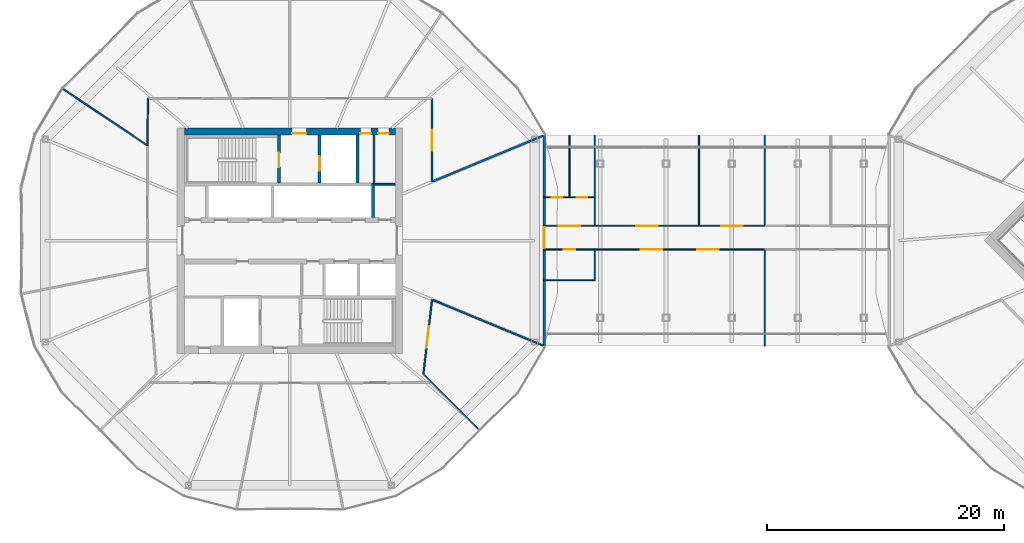
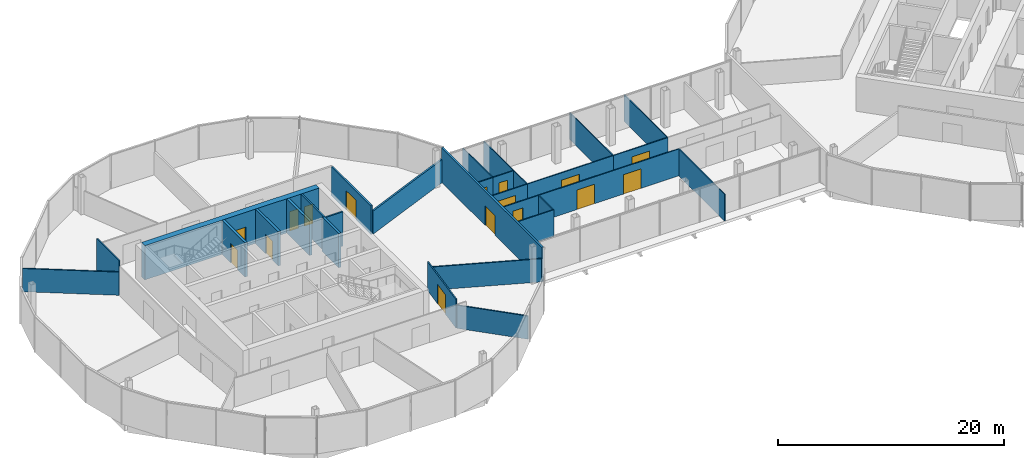
# One storey, part 21 of 26: 30 walls, 16 doors, 16 openings.
"""IFC4 building model written with IfcOpenShell, lengths in metres."""

import ifcopenshell
import ifcopenshell.guid

model = None  # the IFC model being written
_history = None  # IfcOwnerHistory: only IFC2X3 demands one
_inside = {}  # id of a spatial element -> (the spatial element, [elements in it])
_under = {}  # id of a project, library or spatial element -> (it, [spatial elements below it])
_declared = {}  # id of a project -> (the project, [libraries it declares])
_typed = {}  # id of a type object -> (the type object, [elements of that type])
_made_of = {}  # id of a material, layer set ... -> (it, [elements and type objects made of it])


def new_model(schema):
    """Start an empty IFC model of exactly this schema.

    Asked for "IFC4X3", IfcOpenShell would pick the latest addendum, in which some entities
    have other attributes; the version numbers below select the first issue.
    IFC2X3 requires an IfcOwnerHistory on every rooted entity: one is made here for all.
    """
    global model, _history
    if schema == "IFC4X3":
        model = ifcopenshell.file(schema_version=(4, 3, 0, 0))
    else:
        model = ifcopenshell.file(schema=schema)
    _inside.clear()
    _under.clear()
    _declared.clear()
    _typed.clear()
    _made_of.clear()
    _history = None
    if model.schema == "IFC2X3":
        org = make("IfcOrganization", Name="unknown")
        user = make(
            "IfcPersonAndOrganization",
            ThePerson=make("IfcPerson", FamilyName="unknown"),
            TheOrganization=org,
        )
        app = make(
            "IfcApplication",
            ApplicationDeveloper=org,
            Version="unknown",
            ApplicationFullName="unknown",
            ApplicationIdentifier="unknown",
        )
        _history = make(
            "IfcOwnerHistory",
            OwningUser=user,
            OwningApplication=app,
            ChangeAction="ADDED",
            CreationDate=0,
        )
    return model


def make(cls, **values):
    """One entity of the class cls with the attributes given. An attribute that is None is left unset."""
    return model.create_entity(
        cls, **{name: value for name, value in values.items() if value is not None}
    )


def rooted(cls, **values):
    """An entity with a GlobalId (a new one), such as an element, a storey or a relation."""
    return make(cls, GlobalId=ifcopenshell.guid.new(), OwnerHistory=_history, **values)


def si_unit(unit_type, name, prefix=None):
    """IfcSIUnit, for example si_unit("LENGTHUNIT", "METRE", prefix="MILLI")."""
    return make("IfcSIUnit", UnitType=unit_type, Prefix=prefix, Name=name)


def assignment(units):
    """IfcUnitAssignment: the units of a project."""
    return None if units is None else make("IfcUnitAssignment", Units=units)


def point(xyz):
    """IfcCartesianPoint."""
    return None if xyz is None else make("IfcCartesianPoint", Coordinates=xyz)


def direction(xyz):
    """IfcDirection."""
    return None if xyz is None else make("IfcDirection", DirectionRatios=xyz)


def frame(location, z_axis=None, x_axis=None):
    """IfcAxis2Placement3D, a coordinate frame: its origin and axes. An axis left out is left unset."""
    return make(
        "IfcAxis2Placement3D",
        Location=point(location),
        Axis=direction(z_axis),
        RefDirection=direction(x_axis),
    )


def frame_2d(location, x_axis=None):
    """IfcAxis2Placement2D, a coordinate frame in the plane: its origin and x axis."""
    return make(
        "IfcAxis2Placement2D", Location=point(location), RefDirection=direction(x_axis)
    )


def origin():
    """The frame at (0, 0, 0) with its axes left unset."""
    return frame((0.0, 0.0, 0.0))


def place(relative_to, where):
    """IfcLocalPlacement: puts the frame where relative to a parent placement (None: the world)."""
    return make(
        "IfcLocalPlacement", PlacementRelTo=relative_to, RelativePlacement=where
    )


def context(
    kind, dimensions, precision=None, world=None, true_north=None, identifier=None
):
    """IfcGeometricRepresentationContext, for example the 3D "Model" context."""
    return make(
        "IfcGeometricRepresentationContext",
        ContextIdentifier=identifier,
        ContextType=kind,
        CoordinateSpaceDimension=dimensions,
        Precision=precision,
        WorldCoordinateSystem=world,
        TrueNorth=true_north,
    )


def subcontext(parent, identifier, kind, view, scale=None):
    """IfcGeometricRepresentationSubContext, for example "Body" below "Model"."""
    return make(
        "IfcGeometricRepresentationSubContext",
        ContextIdentifier=identifier,
        ContextType=kind,
        ParentContext=parent,
        TargetScale=scale,
        TargetView=view,
    )


def project(units=None, contexts=None):
    """IfcProject with its units and contexts."""
    return rooted(
        "IfcProject",
        Name="project",
        RepresentationContexts=contexts,
        UnitsInContext=assignment(units),
    )


def spatial(cls, under=None, at=None, **own):
    """A site, building, storey or space (cls), placed at a placement, below another one or the project."""
    s = rooted(cls, ObjectPlacement=at, **own)
    if under is not None:
        _under.setdefault(under.id(), (under, []))[1].append(s)
    return s


def profile(cls, at=None, kind="AREA", **sizes):
    """A parametric profile (cls). Its sizes go by their IFC names, for example OverallWidth=200.0."""
    return make(cls, ProfileType=kind, Position=at, **sizes)


def rectangle(**sizes):
    """IfcRectangleProfileDef."""
    return profile("IfcRectangleProfileDef", **sizes)


def extrude(swept, where, along, depth):
    """IfcExtrudedAreaSolid: the profile swept, set in the frame where, extruded along a direction by depth."""
    return make(
        "IfcExtrudedAreaSolid",
        SweptArea=swept,
        Position=where,
        ExtrudedDirection=direction(along),
        Depth=depth,
    )


def shape(context_of_items, identifier, shape_type, items):
    """IfcShapeRepresentation: the items that make up one representation, for example the "Body"."""
    return make(
        "IfcShapeRepresentation",
        ContextOfItems=context_of_items,
        RepresentationIdentifier=identifier,
        RepresentationType=shape_type,
        Items=items,
    )


def material(Name=None, Category=None):
    """IfcMaterial."""
    return make("IfcMaterial", Name=Name, Category=Category)


def layer(
    of_material, thickness, ventilated=None, Name=None, Category=None, Priority=None
):
    """IfcMaterialLayer: one layer of a wall or slab, of a material (None: an air gap)."""
    return make(
        "IfcMaterialLayer",
        Material=of_material,
        LayerThickness=thickness,
        IsVentilated=ventilated,
        Name=Name,
        Category=Category,
        Priority=Priority,
    )


def layer_set(layers, Name=None):
    """IfcMaterialLayerSet."""
    return make("IfcMaterialLayerSet", MaterialLayers=layers, LayerSetName=Name)


def made_of(thing, what):
    """Note that an element or type object is made of a material, layer set ...; save() writes the relation."""
    if what is not None:
        _made_of.setdefault(what.id(), (what, []))[1].append(thing)
    return thing


def type_object(cls, material=None, **own):
    """A type object (cls), such as IfcWallType, which elements share."""
    return made_of(rooted(cls, **own), material)


def element(
    cls,
    number,
    at=None,
    inside=None,
    cuts=None,
    type_object=None,
    material=None,
    context=None,
    identifier="Body",
    shape_type=None,
    held_by="IfcProductDefinitionShape",
    body=None,
    shapes=None,
    **own,
):
    """One element of the class cls, such as IfcWall. Its Tag is "e" and its number.

    at: its placement. inside: the storey or other place that contains it. cuts: it is an
    opening in that element (IfcRelVoidsElement). A single representation is given by context,
    identifier, shape_type and body (its items); several are given by shapes. held_by: the class
    of the entity that holds the representations. save() writes the other relations.
    """
    e = rooted(cls, Tag="e%d" % number, ObjectPlacement=at, **own)
    if body is not None:
        shapes = [shape(context, identifier, shape_type, body)]
    if shapes is not None:
        e.Representation = make(held_by, Representations=shapes)
    if inside is not None:
        _inside.setdefault(inside.id(), (inside, []))[1].append(e)
    if cuts is not None:
        rooted(
            "IfcRelVoidsElement", RelatingBuildingElement=cuts, RelatedOpeningElement=e
        )
    if type_object is not None:
        _typed.setdefault(type_object.id(), (type_object, []))[1].append(e)
    return made_of(e, material)


def fill(opening, filler):
    """IfcRelFillsElement: the door or window that sits in an opening."""
    return rooted(
        "IfcRelFillsElement",
        RelatingOpeningElement=opening,
        RelatedBuildingElement=filler,
    )


def aggregate(whole, parts):
    """IfcRelAggregates: a whole, such as a stair, and the parts it consists of."""
    return rooted("IfcRelAggregates", RelatingObject=whole, RelatedObjects=parts)


def save(model, path):
    """Write the relations noted so far, then the file.

    IfcRelAggregates (storeys below a building ...), IfcRelContainedInSpatialStructure (elements
    in a storey), IfcRelDefinesByType, IfcRelAssociatesMaterial and IfcRelDeclares: one each for
    every whole, place, type object, material and project.
    """
    for whole, parts in _under.values():
        aggregate(whole, parts)
    for where, things in _inside.values():
        rooted(
            "IfcRelContainedInSpatialStructure",
            RelatedElements=things,
            RelatingStructure=where,
        )
    for kind, things in _typed.values():
        rooted("IfcRelDefinesByType", RelatedObjects=things, RelatingType=kind)
    for what, things in _made_of.values():
        rooted("IfcRelAssociatesMaterial", RelatedObjects=things, RelatingMaterial=what)
    for by, libraries in _declared.values():
        rooted("IfcRelDeclares", RelatingContext=by, RelatedDefinitions=libraries)
    model.write(path)


model = new_model("IFC4")

# Units and contexts
model_context = context("Model", 3, precision=1e-05, world=origin(), true_north=direction((0.0, 1.0)))
body_context = subcontext(model_context, "Body", "Model", "MODEL_VIEW")
ifc_project = project(units=[si_unit("LENGTHUNIT", "METRE"), si_unit("AREAUNIT", "SQUARE_METRE"), si_unit("VOLUMEUNIT", "CUBIC_METRE"), si_unit("PLANEANGLEUNIT", "RADIAN"), si_unit("MASSUNIT", "GRAM", prefix="KILO")], contexts=[model_context])

# Site, building, storey
site_placement = place(None, origin())
site = spatial("IfcSite", under=ifc_project, at=site_placement, CompositionType="ELEMENT")
building_placement = place(site_placement, origin())
building = spatial("IfcBuilding", under=site, at=building_placement, Name="Ogive Gate Towers", CompositionType="ELEMENT")
storey_placement = place(building_placement, frame((0.0, 0.0, 148.800048828125)))
storey = spatial("IfcBuildingStorey", under=building, at=storey_placement, Name="L35", CompositionType="ELEMENT", Elevation=148.800048828125)

# Wall
ifc_material_1 = material(Name="Gypsum board acoustic partition")
ifc_layer_1 = layer(ifc_material_1, 0.175048828125)
ifc_layer_set_1 = layer_set([ifc_layer_1], Name="Acoustic partition 175")
wall_type_1 = type_object("IfcWallType", Name="Acoustic partition 175", PredefinedType="PARTITIONING", material=ifc_layer_set_1)
wall_1_placement = place(storey_placement, frame((-14.6474609375, 8.844482421875, 0.0), z_axis=(0.0, 0.0, 1.0), x_axis=(-0.923884694727, -0.382670969436, 0.0)))
element("IfcWall", 1, at=wall_1_placement, inside=storey, type_object=wall_type_1, Name="Partition T1-L35-001", PredefinedType="PARTITIONING", context=body_context, shape_type="SweptSolid", body=[
    extrude(rectangle(XDim=10.043212890625, YDim=0.175048828125, at=frame_2d((5.021484375, 0.0))), origin(), (0.0, 0.0, 1.0), 2.5),
])

# Wall, opening, door
wall_2_placement = place(storey_placement, frame((-24.007080078125, 4.967529296875, 0.0), z_axis=(0.0, 0.0, 1.0), x_axis=(-0.001845208014, 0.999998297602, 0.0)))
wall_2 = element("IfcWall", 2, at=wall_2_placement, inside=storey, type_object=wall_type_1, Name="Partition T1-L35-012", PredefinedType="PARTITIONING", context=body_context, shape_type="SweptSolid", body=[
    extrude(rectangle(XDim=7.012451171875, YDim=0.175048828125, at=frame_2d((3.50634765625, 0.0))), origin(), (0.0, 0.0, 1.0), 3.099853515625),
])
opening_1_placement = place(wall_2_placement, frame((2.60595703125, 0.0, 0.0)))
opening_1 = element("IfcOpeningElement", 3, at=opening_1_placement, cuts=wall_2, Name="Opening T1-L35-D01", PredefinedType="OPENING", context=body_context, shape_type="SweptSolid", body=[
    extrude(rectangle(XDim=1.800048828125, YDim=2.10009765625, at=frame_2d((0.89990234375, 1.050048828125))), frame((0.0, 0.09765625, 0.0), z_axis=(0.0, -1.0, 0.0), x_axis=(1.0, 0.0, 0.0)), (0.0, 0.0, 1.0), 0.195068359375),
])
ifc_material_2 = material(Name="Timber door", Category="wood")
door_type_1 = type_object("IfcDoorType", Name="Door pair 1800", OperationType="NOTDEFINED", PredefinedType="DOOR", material=ifc_material_2)
door_1_placement = place(opening_1_placement, origin())
door_1 = element("IfcDoor", 4, at=door_1_placement, inside=storey, type_object=door_type_1, Name="Door T1-L35-D01", OperationType="DOUBLE_DOOR_DOUBLE_SWING", OverallHeight=2.10009765625, OverallWidth=1.800048828125, PredefinedType="DOOR", context=body_context, shape_type="SweptSolid", body=[
    extrude(rectangle(XDim=1.800048828125, YDim=2.10009765625, at=frame_2d((0.89990234375, 1.050048828125))), frame((0.0, 0.02490234375, 0.0), z_axis=(0.0, -1.0, 0.0), x_axis=(1.0, 0.0, 0.0)), (0.0, 0.0, 1.0), 0.050048828125),
])
fill(opening_1, door_1)

# Wall, openings, doors
ifc_material_3 = material(Name="Concrete C60/75", Category="concrete")
ifc_layer_2 = layer(ifc_material_3, 0.60009765625)
ifc_layer_set_2 = layer_set([ifc_layer_2], Name="Core wall 600 mm")
wall_type_2 = type_object("IfcWallType", Name="Core wall 600 mm", PredefinedType="SHEAR", material=ifc_layer_set_2)
wall_3_placement = place(storey_placement, frame((-44.89990234375, 9.199951171875, 0.0), z_axis=(0.0, 0.0, 1.0), x_axis=(1.0, 0.0, 0.0)))
wall_3 = element("IfcWall", 5, at=wall_3_placement, inside=storey, type_object=wall_type_2, Name="T1 L35 Core wall 600 mm", PredefinedType="SHEAR", context=body_context, shape_type="SweptSolid", body=[
    extrude(rectangle(XDim=17.7998046875, YDim=0.60009765625, at=frame_2d((8.89990234375, 0.0))), origin(), (0.0, 0.0, 1.0), 3.699951171875),
])
opening_2_placement = place(wall_3_placement, frame((9.10009765625, 0.0, 0.0)))
opening_2 = element("IfcOpeningElement", 6, at=opening_2_placement, cuts=wall_3, Name="Opening KD-T1-L35-18", PredefinedType="OPENING", context=body_context, shape_type="SweptSolid", body=[
    extrude(rectangle(XDim=1.199951171875, YDim=2.10009765625, at=frame_2d((0.60009765625, 1.050048828125))), frame((0.0, 0.31005859375, 0.0), z_axis=(0.0, -1.0, 0.0), x_axis=(1.0, 0.0, 0.0)), (0.0, 0.0, 1.0), 0.6201171875),
])
opening_3_placement = place(wall_3_placement, frame((14.85009765625, 0.0, 0.0)))
opening_3 = element("IfcOpeningElement", 7, at=opening_3_placement, cuts=wall_3, Name="Opening KD-T1-L35-20", PredefinedType="OPENING", context=body_context, shape_type="SweptSolid", body=[
    extrude(rectangle(XDim=0.89990234375, YDim=2.10009765625, at=frame_2d((0.449951171875, 1.050048828125))), frame((0.0, 0.31005859375, 0.0), z_axis=(0.0, -1.0, 0.0), x_axis=(1.0, 0.0, 0.0)), (0.0, 0.0, 1.0), 0.6201171875),
])
opening_4_placement = place(wall_3_placement, frame((16.35009765625, 0.0, 0.0)))
opening_4 = element("IfcOpeningElement", 8, at=opening_4_placement, cuts=wall_3, Name="Opening KD-T1-L35-21", PredefinedType="OPENING", context=body_context, shape_type="SweptSolid", body=[
    extrude(rectangle(XDim=0.89990234375, YDim=2.10009765625, at=frame_2d((0.449951171875, 1.050048828125))), frame((0.0, 0.31005859375, 0.0), z_axis=(0.0, -1.0, 0.0), x_axis=(1.0, 0.0, 0.0)), (0.0, 0.0, 1.0), 0.6201171875),
])
door_type_2 = type_object("IfcDoorType", Name="Core WC door 900 x 2100", OperationType="NOTDEFINED", PredefinedType="DOOR", material=ifc_material_2)
door_2_placement = place(opening_3_placement, origin())
door_2 = element("IfcDoor", 9, at=door_2_placement, inside=storey, type_object=door_type_2, Name="T1 L35 Core door", OperationType="SINGLE_SWING_LEFT", OverallHeight=2.10009765625, OverallWidth=0.89990234375, PredefinedType="DOOR", context=body_context, shape_type="SweptSolid", body=[
    extrude(rectangle(XDim=0.89990234375, YDim=2.10009765625, at=frame_2d((0.449951171875, 1.050048828125))), frame((0.0, -0.125, 0.0), z_axis=(0.0, -1.0, 0.0), x_axis=(1.0, 0.0, 0.0)), (0.0, 0.0, 1.0), 0.050048828125),
])
fill(opening_3, door_2)
door_3_placement = place(opening_4_placement, origin())
door_3 = element("IfcDoor", 10, at=door_3_placement, inside=storey, type_object=door_type_2, Name="T1 L35 Core door", OperationType="SINGLE_SWING_RIGHT", OverallHeight=2.10009765625, OverallWidth=0.89990234375, PredefinedType="DOOR", context=body_context, shape_type="SweptSolid", body=[
    extrude(rectangle(XDim=0.89990234375, YDim=2.10009765625, at=frame_2d((0.449951171875, 1.050048828125))), frame((0.0, -0.125, 0.0), z_axis=(0.0, -1.0, 0.0), x_axis=(1.0, 0.0, 0.0)), (0.0, 0.0, 1.0), 0.050048828125),
])
fill(opening_4, door_3)
ifc_material_4 = material(Name="Steel fire door", Category="steel")
door_type_3 = type_object("IfcDoorType", Name="Core door FD60S 1200 x 2100", OperationType="NOTDEFINED", PredefinedType="DOOR", material=ifc_material_4)
door_4_placement = place(opening_2_placement, origin())
door_4 = element("IfcDoor", 11, at=door_4_placement, inside=storey, type_object=door_type_3, Name="T1 L35 Fire-fighting lobby door", OperationType="SINGLE_SWING_LEFT", OverallHeight=2.10009765625, OverallWidth=1.199951171875, PredefinedType="DOOR", context=body_context, shape_type="SweptSolid", body=[
    extrude(rectangle(XDim=1.199951171875, YDim=2.10009765625, at=frame_2d((0.60009765625, 1.050048828125))), frame((0.0, -0.125, 0.0), z_axis=(0.0, -1.0, 0.0), x_axis=(1.0, 0.0, 0.0)), (0.0, 0.0, 1.0), 0.050048828125),
])
fill(opening_2, door_4)

# Walls
ifc_material_5 = material(Name="Gypsum board partition")
ifc_layer_3 = layer(ifc_material_5, 0.125)
ifc_layer_set_3 = layer_set([ifc_layer_3], Name="Partition 125")
wall_type_3 = type_object("IfcWallType", Name="Partition 125", PredefinedType="PARTITIONING", material=ifc_layer_set_3)
wall_4_placement = place(storey_placement, frame((-55.1357421875, 12.79541015625, 0.0), z_axis=(0.0, 0.0, 1.0), x_axis=(0.831278597412, -0.555856000674, 0.0)))
element("IfcWall", 12, at=wall_4_placement, inside=storey, type_object=wall_type_3, Name="Partition T1-L35-005", PredefinedType="PARTITIONING", context=body_context, shape_type="SweptSolid", body=[
    extrude(rectangle(XDim=8.526611328125, YDim=0.125, at=frame_2d((4.26318359375, 0.0))), origin(), (0.0, 0.0, 1.0), 2.5),
])
wall_5_placement = place(storey_placement, frame((-20.07666015625, -15.92333984375, 0.0), z_axis=(0.0, 0.0, 1.0), x_axis=(-0.707106781187, 0.707106781187, 0.0)))
element("IfcWall", 13, at=wall_5_placement, inside=storey, type_object=wall_type_3, Name="Partition T1-L35-010", PredefinedType="PARTITIONING", context=body_context, shape_type="SweptSolid", body=[
    extrude(rectangle(XDim=6.526611328125, YDim=0.125, at=frame_2d((3.26318359375, 0.0))), origin(), (0.0, 0.0, 1.0), 2.5),
])
wall_6_placement = place(storey_placement, frame((-14.6474609375, -8.844482421875, 0.0), z_axis=(0.0, 0.0, 1.0), x_axis=(-0.923887684804, 0.382663750397, 0.0)))
element("IfcWall", 14, at=wall_6_placement, inside=storey, type_object=wall_type_3, Name="Partition T1-L35-011", PredefinedType="PARTITIONING", context=body_context, shape_type="SweptSolid", body=[
    extrude(rectangle(XDim=10.068359375, YDim=0.125, at=frame_2d((5.0341796875, 0.0))), origin(), (0.0, 0.0, 1.0), 2.5),
])
wall_7_placement = place(storey_placement, frame((-47.97998046875, 11.97998046875, 0.0), z_axis=(0.0, 0.0, 1.0), x_axis=(-0.004008601774, -0.999991965524, 0.0)))
element("IfcWall", 15, at=wall_7_placement, inside=storey, type_object=wall_type_3, Name="Partition T1-L35-017", PredefinedType="PARTITIONING", context=body_context, shape_type="SweptSolid", body=[
    extrude(rectangle(XDim=3.958740234375, YDim=0.125, at=frame_2d((1.9794921875, 0.0))), origin(), (0.0, 0.0, 1.0), 3.699951171875),
])

# Wall, opening, door
wall_8_placement = place(storey_placement, frame((-24.735595703125, -11.264404296875, 0.0), z_axis=(0.0, 0.0, 1.0), x_axis=(0.11492817277, 0.993373804317, 0.0)))
wall_8 = element("IfcWall", 16, at=wall_8_placement, inside=storey, type_object=wall_type_3, Name="Partition T1-L35-023", PredefinedType="PARTITIONING", context=body_context, shape_type="SweptSolid", body=[
    extrude(rectangle(XDim=6.3388671875, YDim=0.125, at=frame_2d((3.16943359375, 0.0))), origin(), (0.0, 0.0, 1.0), 3.099853515625),
])
opening_5_placement = place(wall_8_placement, frame((2.26904296875, 0.0, 0.0)))
opening_5 = element("IfcOpeningElement", 17, at=opening_5_placement, cuts=wall_8, Name="Opening T1-L35-D10", PredefinedType="OPENING", context=body_context, shape_type="SweptSolid", body=[
    extrude(rectangle(XDim=1.800048828125, YDim=2.10009765625, at=frame_2d((0.89990234375, 1.050048828125))), frame((0.0, 0.072509765625, 0.0), z_axis=(0.0, -1.0, 0.0), x_axis=(1.0, 0.0, 0.0)), (0.0, 0.0, 1.0), 0.14501953125),
])
door_5_placement = place(opening_5_placement, origin())
door_5 = element("IfcDoor", 18, at=door_5_placement, inside=storey, type_object=door_type_1, Name="Door T1-L35-D10", OperationType="DOUBLE_DOOR_DOUBLE_SWING", OverallHeight=2.10009765625, OverallWidth=1.800048828125, PredefinedType="DOOR", context=body_context, shape_type="SweptSolid", body=[
    extrude(rectangle(XDim=1.800048828125, YDim=2.10009765625, at=frame_2d((0.89990234375, 1.050048828125))), frame((0.0, 0.02490234375, 0.0), z_axis=(0.0, -1.0, 0.0), x_axis=(1.0, 0.0, 0.0)), (0.0, 0.0, 1.0), 0.050048828125),
])
fill(opening_5, door_5)

ifc_layer_4 = layer(ifc_material_5, 0.10009765625)
ifc_layer_set_4 = layer_set([ifc_layer_4], Name="Partition wall 100")
wall_type_4 = type_object("IfcWallType", Name="Partition wall 100", PredefinedType="PARTITIONING", material=ifc_layer_set_4)
wall_9_placement = place(storey_placement, frame((-14.547607421875, 1.25, 0.0), z_axis=(0.0, 0.0, 1.0), x_axis=(1.0, 0.0, 0.0)))
wall_9 = element("IfcWall", 19, at=wall_9_placement, inside=storey, type_object=wall_type_4, Name="L35 partition 001", PredefinedType="PARTITIONING", context=body_context, shape_type="SweptSolid", body=[
    extrude(rectangle(XDim=4.26708984375, YDim=0.10009765625, at=frame_2d((2.133544921875, 0.0))), origin(), (0.0, 0.0, 1.0), 2.89990234375),
])
opening_6_placement = place(wall_9_placement, frame((1.2333984375, 0.0, 0.0)))
opening_6 = element("IfcOpeningElement", 20, at=opening_6_placement, cuts=wall_9, Name="Opening PO254", PredefinedType="OPENING", context=body_context, shape_type="SweptSolid", body=[
    extrude(rectangle(XDim=1.800048828125, YDim=2.10009765625, at=frame_2d((0.89990234375, 1.050048828125))), frame((0.0, 0.06005859375, 0.0), z_axis=(0.0, -1.0, 0.0), x_axis=(1.0, 0.0, 0.0)), (0.0, 0.0, 1.0), 0.1201171875),
])
door_type_4 = type_object("IfcDoorType", Name="Double door 1800 x 2100", OperationType="NOTDEFINED", PredefinedType="DOOR", material=ifc_material_2)
door_6_placement = place(opening_6_placement, origin())
door_6 = element("IfcDoor", 21, at=door_6_placement, inside=storey, type_object=door_type_4, Name="Door PO254", OperationType="DOUBLE_DOOR_DOUBLE_SWING", OverallHeight=2.10009765625, OverallWidth=1.800048828125, PredefinedType="DOOR", context=body_context, shape_type="SweptSolid", body=[
    extrude(rectangle(XDim=1.800048828125, YDim=2.10009765625, at=frame_2d((0.89990234375, 1.050048828125))), frame((0.0, 0.02490234375, 0.0), z_axis=(0.0, -1.0, 0.0), x_axis=(1.0, 0.0, 0.0)), (0.0, 0.0, 1.0), 0.050048828125),
])
fill(opening_6, door_6)

wall_10_placement = place(storey_placement, frame((-14.547607421875, -0.75, 0.0), z_axis=(0.0, 0.0, 1.0), x_axis=(1.0, 0.0, 0.0)))
wall_10 = element("IfcWall", 22, at=wall_10_placement, inside=storey, type_object=wall_type_4, Name="L35 partition 002", PredefinedType="PARTITIONING", context=body_context, shape_type="SweptSolid", body=[
    extrude(rectangle(XDim=4.26708984375, YDim=0.10009765625, at=frame_2d((2.133544921875, 0.0))), origin(), (0.0, 0.0, 1.0), 2.89990234375),
])
opening_7_placement = place(wall_10_placement, frame((1.633544921875, 0.0, 0.0)))
opening_7 = element("IfcOpeningElement", 23, at=opening_7_placement, cuts=wall_10, Name="Opening PO257", PredefinedType="OPENING", context=body_context, shape_type="SweptSolid", body=[
    extrude(rectangle(XDim=1.0, YDim=2.10009765625, at=frame_2d((0.5, 1.050048828125))), frame((0.0, 0.06005859375, 0.0), z_axis=(0.0, -1.0, 0.0), x_axis=(1.0, 0.0, 0.0)), (0.0, 0.0, 1.0), 0.1201171875),
])
door_type_5 = type_object("IfcDoorType", Name="Door 1000 x 2100", OperationType="NOTDEFINED", PredefinedType="DOOR", material=ifc_material_2)
door_7_placement = place(opening_7_placement, origin())
door_7 = element("IfcDoor", 24, at=door_7_placement, inside=storey, type_object=door_type_5, Name="Door PO257", OperationType="SINGLE_SWING_LEFT", OverallHeight=2.10009765625, OverallWidth=1.0, PredefinedType="DOOR", context=body_context, shape_type="SweptSolid", body=[
    extrude(rectangle(XDim=1.0, YDim=2.10009765625, at=frame_2d((0.5, 1.050048828125))), frame((0.0, 0.02490234375, 0.0), z_axis=(0.0, -1.0, 0.0), x_axis=(1.0, 0.0, 0.0)), (0.0, 0.0, 1.0), 0.050048828125),
])
fill(opening_7, door_7)

wall_11_placement = place(storey_placement, frame((-10.280517578125, 1.25, 0.0), z_axis=(0.0, 0.0, 1.0), x_axis=(1.0, 0.0, 0.0)))
wall_11 = element("IfcWall", 25, at=wall_11_placement, inside=storey, type_object=wall_type_4, Name="L35 partition 003", PredefinedType="PARTITIONING", context=body_context, shape_type="SweptSolid", body=[
    extrude(rectangle(XDim=8.78466796875, YDim=0.10009765625, at=frame_2d((4.392333984375, 0.0))), origin(), (0.0, 0.0, 1.0), 2.89990234375),
])
opening_8_placement = place(wall_11_placement, frame((3.492431640625, 0.0, 0.0)))
opening_8 = element("IfcOpeningElement", 26, at=opening_8_placement, cuts=wall_11, Name="Opening PO258", PredefinedType="OPENING", context=body_context, shape_type="SweptSolid", body=[
    extrude(rectangle(XDim=1.800048828125, YDim=2.10009765625, at=frame_2d((0.89990234375, 1.050048828125))), frame((0.0, 0.06005859375, 0.0), z_axis=(0.0, -1.0, 0.0), x_axis=(1.0, 0.0, 0.0)), (0.0, 0.0, 1.0), 0.1201171875),
])
door_8_placement = place(opening_8_placement, origin())
door_8 = element("IfcDoor", 27, at=door_8_placement, inside=storey, type_object=door_type_4, Name="Door PO258", OperationType="DOUBLE_DOOR_DOUBLE_SWING", OverallHeight=2.10009765625, OverallWidth=1.800048828125, PredefinedType="DOOR", context=body_context, shape_type="SweptSolid", body=[
    extrude(rectangle(XDim=1.800048828125, YDim=2.10009765625, at=frame_2d((0.89990234375, 1.050048828125))), frame((0.0, 0.02490234375, 0.0), z_axis=(0.0, -1.0, 0.0), x_axis=(1.0, 0.0, 0.0)), (0.0, 0.0, 1.0), 0.050048828125),
])
fill(opening_8, door_8)

wall_12_placement = place(storey_placement, frame((-1.495849609375, 1.25, 0.0), z_axis=(0.0, 0.0, 1.0), x_axis=(1.0, 0.0, 0.0)))
wall_12 = element("IfcWall", 28, at=wall_12_placement, inside=storey, type_object=wall_type_4, Name="L35 partition 004", PredefinedType="PARTITIONING", context=body_context, shape_type="SweptSolid", body=[
    extrude(rectangle(XDim=5.556640625, YDim=0.10009765625, at=frame_2d((2.7783203125, 0.0))), origin(), (0.0, 0.0, 1.0), 2.89990234375),
])
opening_9_placement = place(wall_12_placement, frame((1.878173828125, 0.0, 0.0)))
opening_9 = element("IfcOpeningElement", 29, at=opening_9_placement, cuts=wall_12, Name="Opening PO259", PredefinedType="OPENING", context=body_context, shape_type="SweptSolid", body=[
    extrude(rectangle(XDim=1.800048828125, YDim=2.10009765625, at=frame_2d((0.89990234375, 1.050048828125))), frame((0.0, 0.06005859375, 0.0), z_axis=(0.0, -1.0, 0.0), x_axis=(1.0, 0.0, 0.0)), (0.0, 0.0, 1.0), 0.1201171875),
])
door_9_placement = place(opening_9_placement, origin())
door_9 = element("IfcDoor", 30, at=door_9_placement, inside=storey, type_object=door_type_4, Name="Door PO259", OperationType="DOUBLE_DOOR_DOUBLE_SWING", OverallHeight=2.10009765625, OverallWidth=1.800048828125, PredefinedType="DOOR", context=body_context, shape_type="SweptSolid", body=[
    extrude(rectangle(XDim=1.800048828125, YDim=2.10009765625, at=frame_2d((0.89990234375, 1.050048828125))), frame((0.0, 0.02490234375, 0.0), z_axis=(0.0, -1.0, 0.0), x_axis=(1.0, 0.0, 0.0)), (0.0, 0.0, 1.0), 0.050048828125),
])
fill(opening_9, door_9)

# Wall, openings, doors
wall_13_placement = place(storey_placement, frame((-10.280517578125, -0.75, 0.0), z_axis=(0.0, 0.0, 1.0), x_axis=(1.0, 0.0, 0.0)))
wall_13 = element("IfcWall", 31, at=wall_13_placement, inside=storey, type_object=wall_type_4, Name="L35 partition 007", PredefinedType="PARTITIONING", context=body_context, shape_type="SweptSolid", body=[
    extrude(rectangle(XDim=14.34130859375, YDim=0.10009765625, at=frame_2d((7.170654296875, 0.0))), origin(), (0.0, 0.0, 1.0), 2.89990234375),
])
opening_10_placement = place(wall_13_placement, frame((3.88232421875, 0.0, 0.0)))
opening_10 = element("IfcOpeningElement", 32, at=opening_10_placement, cuts=wall_13, Name="Opening PO262", PredefinedType="OPENING", context=body_context, shape_type="SweptSolid", body=[
    extrude(rectangle(XDim=1.800048828125, YDim=2.10009765625, at=frame_2d((0.89990234375, 1.050048828125))), frame((0.0, 0.06005859375, 0.0), z_axis=(0.0, -1.0, 0.0), x_axis=(1.0, 0.0, 0.0)), (0.0, 0.0, 1.0), 0.1201171875),
])
opening_11_placement = place(wall_13_placement, frame((8.65869140625, 0.0, 0.0)))
opening_11 = element("IfcOpeningElement", 33, at=opening_11_placement, cuts=wall_13, Name="Opening PO263", PredefinedType="OPENING", context=body_context, shape_type="SweptSolid", body=[
    extrude(rectangle(XDim=1.800048828125, YDim=2.10009765625, at=frame_2d((0.89990234375, 1.050048828125))), frame((0.0, 0.06005859375, 0.0), z_axis=(0.0, -1.0, 0.0), x_axis=(1.0, 0.0, 0.0)), (0.0, 0.0, 1.0), 0.1201171875),
])
door_10_placement = place(opening_10_placement, origin())
door_10 = element("IfcDoor", 34, at=door_10_placement, inside=storey, type_object=door_type_4, Name="Door PO262", OperationType="DOUBLE_DOOR_DOUBLE_SWING", OverallHeight=2.10009765625, OverallWidth=1.800048828125, PredefinedType="DOOR", context=body_context, shape_type="SweptSolid", body=[
    extrude(rectangle(XDim=1.800048828125, YDim=2.10009765625, at=frame_2d((0.89990234375, 1.050048828125))), frame((0.0, 0.02490234375, 0.0), z_axis=(0.0, -1.0, 0.0), x_axis=(1.0, 0.0, 0.0)), (0.0, 0.0, 1.0), 0.050048828125),
])
fill(opening_10, door_10)
door_11_placement = place(opening_11_placement, origin())
door_11 = element("IfcDoor", 35, at=door_11_placement, inside=storey, type_object=door_type_4, Name="Door PO263", OperationType="DOUBLE_DOOR_DOUBLE_SWING", OverallHeight=2.10009765625, OverallWidth=1.800048828125, PredefinedType="DOOR", context=body_context, shape_type="SweptSolid", body=[
    extrude(rectangle(XDim=1.800048828125, YDim=2.10009765625, at=frame_2d((0.89990234375, 1.050048828125))), frame((0.0, 0.02490234375, 0.0), z_axis=(0.0, -1.0, 0.0), x_axis=(1.0, 0.0, 0.0)), (0.0, 0.0, 1.0), 0.050048828125),
])
fill(opening_11, door_11)

# Wall, opening, door
wall_14_placement = place(storey_placement, frame((-14.547607421875, 3.64990234375, 0.0), z_axis=(0.0, 0.0, 1.0), x_axis=(1.0, 0.0, 0.0)))
wall_14 = element("IfcWall", 36, at=wall_14_placement, inside=storey, type_object=wall_type_4, Name="L35 partition 009", PredefinedType="PARTITIONING", context=body_context, shape_type="SweptSolid", body=[
    extrude(rectangle(XDim=2.133544921875, YDim=0.10009765625, at=frame_2d((1.06689453125, 0.0))), origin(), (0.0, 0.0, 1.0), 2.89990234375),
])
opening_12_placement = place(wall_14_placement, frame((0.61669921875, 0.0, 0.0)))
opening_12 = element("IfcOpeningElement", 37, at=opening_12_placement, cuts=wall_14, Name="Opening PO255", PredefinedType="OPENING", context=body_context, shape_type="SweptSolid", body=[
    extrude(rectangle(XDim=0.89990234375, YDim=2.10009765625, at=frame_2d((0.449951171875, 1.050048828125))), frame((0.0, 0.06005859375, 0.0), z_axis=(0.0, -1.0, 0.0), x_axis=(1.0, 0.0, 0.0)), (0.0, 0.0, 1.0), 0.1201171875),
])
door_type_6 = type_object("IfcDoorType", Name="Door 900 x 2100", OperationType="NOTDEFINED", PredefinedType="DOOR", material=ifc_material_2)
door_12_placement = place(opening_12_placement, origin())
door_12 = element("IfcDoor", 38, at=door_12_placement, inside=storey, type_object=door_type_6, Name="Door PO255", OperationType="SINGLE_SWING_LEFT", OverallHeight=2.10009765625, OverallWidth=0.89990234375, PredefinedType="DOOR", context=body_context, shape_type="SweptSolid", body=[
    extrude(rectangle(XDim=0.89990234375, YDim=2.10009765625, at=frame_2d((0.449951171875, 1.050048828125))), frame((0.0, 0.02490234375, 0.0), z_axis=(0.0, -1.0, 0.0), x_axis=(1.0, 0.0, 0.0)), (0.0, 0.0, 1.0), 0.050048828125),
])
fill(opening_12, door_12)

wall_15_placement = place(storey_placement, frame((-12.4140625, 3.64990234375, 0.0), z_axis=(0.0, 0.0, 1.0), x_axis=(1.0, 0.0, 0.0)))
wall_15 = element("IfcWall", 39, at=wall_15_placement, inside=storey, type_object=wall_type_4, Name="L35 partition 010", PredefinedType="PARTITIONING", context=body_context, shape_type="SweptSolid", body=[
    extrude(rectangle(XDim=2.08349609375, YDim=0.10009765625, at=frame_2d((1.041748046875, 0.0))), origin(), (0.0, 0.0, 1.0), 2.89990234375),
])
opening_13_placement = place(wall_15_placement, frame((0.591796875, 0.0, 0.0)))
opening_13 = element("IfcOpeningElement", 40, at=opening_13_placement, cuts=wall_15, Name="Opening PO256", PredefinedType="OPENING", context=body_context, shape_type="SweptSolid", body=[
    extrude(rectangle(XDim=0.89990234375, YDim=2.10009765625, at=frame_2d((0.449951171875, 1.050048828125))), frame((0.0, 0.06005859375, 0.0), z_axis=(0.0, -1.0, 0.0), x_axis=(1.0, 0.0, 0.0)), (0.0, 0.0, 1.0), 0.1201171875),
])
door_13_placement = place(opening_13_placement, origin())
door_13 = element("IfcDoor", 41, at=door_13_placement, inside=storey, type_object=door_type_6, Name="Door PO256", OperationType="SINGLE_SWING_RIGHT", OverallHeight=2.10009765625, OverallWidth=0.89990234375, PredefinedType="DOOR", context=body_context, shape_type="SweptSolid", body=[
    extrude(rectangle(XDim=0.89990234375, YDim=2.10009765625, at=frame_2d((0.449951171875, 1.050048828125))), frame((0.0, 0.02490234375, 0.0), z_axis=(0.0, -1.0, 0.0), x_axis=(1.0, 0.0, 0.0)), (0.0, 0.0, 1.0), 0.050048828125),
])
fill(opening_13, door_13)

# Walls
wall_16_placement = place(storey_placement, frame((-10.280517578125, 1.300048828125, 0.0), z_axis=(0.0, 0.0, 1.0), x_axis=(0.0, 1.0, 0.0)))
element("IfcWall", 42, at=wall_16_placement, inside=storey, type_object=wall_type_4, Name="L35 partition 011", PredefinedType="PARTITIONING", context=body_context, shape_type="SweptSolid", body=[
    extrude(rectangle(XDim=2.349853515625, YDim=0.10009765625, at=frame_2d((1.1748046875, 0.0))), origin(), (0.0, 0.0, 1.0), 2.89990234375),
])
wall_17_placement = place(storey_placement, frame((-12.4140625, 3.699951171875, 0.0), z_axis=(0.0, 0.0, 1.0), x_axis=(0.0, 1.0, 0.0)))
element("IfcWall", 43, at=wall_17_placement, inside=storey, type_object=wall_type_4, Name="L35 partition 012", PredefinedType="PARTITIONING", context=body_context, shape_type="SweptSolid", body=[
    extrude(rectangle(XDim=5.18603515625, YDim=0.10009765625, at=frame_2d((2.593017578125, 0.0))), origin(), (0.0, 0.0, 1.0), 2.89990234375),
])
wall_18_placement = place(storey_placement, frame((-10.280517578125, 3.64990234375, 0.0), z_axis=(0.0, 0.0, 1.0), x_axis=(0.0, 1.0, 0.0)))
element("IfcWall", 44, at=wall_18_placement, inside=storey, type_object=wall_type_4, Name="L35 partition 013", PredefinedType="PARTITIONING", context=body_context, shape_type="SweptSolid", body=[
    extrude(rectangle(XDim=5.236083984375, YDim=0.10009765625, at=frame_2d((2.6181640625, 0.0))), origin(), (0.0, 0.0, 1.0), 2.89990234375),
])
wall_19_placement = place(storey_placement, frame((-14.547607421875, -3.35009765625, 0.0), z_axis=(0.0, 0.0, 1.0), x_axis=(1.0, 0.0, 0.0)))
element("IfcWall", 45, at=wall_19_placement, inside=storey, type_object=wall_type_4, Name="L35 partition 014", PredefinedType="PARTITIONING", context=body_context, shape_type="SweptSolid", body=[
    extrude(rectangle(XDim=4.317138671875, YDim=0.10009765625, at=frame_2d((2.15869140625, 0.0))), origin(), (0.0, 0.0, 1.0), 2.89990234375),
])
wall_20_placement = place(storey_placement, frame((-10.280517578125, -3.300048828125, 0.0), z_axis=(0.0, 0.0, 1.0), x_axis=(0.0, 1.0, 0.0)))
element("IfcWall", 46, at=wall_20_placement, inside=storey, type_object=wall_type_4, Name="L35 partition 015", PredefinedType="PARTITIONING", context=body_context, shape_type="SweptSolid", body=[
    extrude(rectangle(XDim=2.5, YDim=0.10009765625, at=frame_2d((1.25, 0.0))), origin(), (0.0, 0.0, 1.0), 2.89990234375),
])
for number, where, z_axis, x_axis, name in (
    (47, (-1.495849609375, 1.300048828125, 0.0), (0.0, 0.0, 1.0), (0.0, 1.0, 0.0), "L35 partition 016"),
    (48, (4.060791015625, 1.300048828125, 0.0), (0.0, 0.0, 1.0), (0.0, 1.0, 0.0), "L35 partition 017"),
):
    element("IfcWall", number, at=place(storey_placement, frame(where, z_axis=z_axis, x_axis=x_axis)), inside=storey, type_object=wall_type_4, Name=name, PredefinedType="PARTITIONING", context=body_context, shape_type="SweptSolid", body=[
        extrude(rectangle(XDim=7.5859375, YDim=0.10009765625, at=frame_2d((3.79296875, 0.0))), origin(), (0.0, 0.0, 1.0), 2.89990234375),
    ])
wall_21_placement = place(storey_placement, frame((4.060791015625, -8.885986328125, 0.0), z_axis=(0.0, 0.0, 1.0), x_axis=(0.0, 1.0, 0.0)))
element("IfcWall", 49, at=wall_21_placement, inside=storey, type_object=wall_type_4, Name="L35 partition 019", PredefinedType="PARTITIONING", context=body_context, shape_type="SweptSolid", body=[
    extrude(rectangle(XDim=8.0859375, YDim=0.10009765625, at=frame_2d((4.04296875, 0.0))), origin(), (0.0, 0.0, 1.0), 2.89990234375),
])

# Wall, opening, door
ifc_material_6 = material(Name="Masonry block wall", Category="masonry")
ifc_layer_5 = layer(ifc_material_6, 0.199951171875)
ifc_layer_set_5 = layer_set([ifc_layer_5], Name="Partition wall 200")
wall_type_5 = type_object("IfcWallType", Name="Partition wall 200", PredefinedType="PARTITIONING", material=ifc_layer_set_5)
wall_22_placement = place(storey_placement, frame((-14.547607421875, -8.885986328125, 0.0), z_axis=(0.0, 0.0, 1.0), x_axis=(0.0, 1.0, 0.0)))
wall_22 = element("IfcWall", 50, at=wall_22_placement, inside=storey, type_object=wall_type_5, Name="L35 wall 020", PredefinedType="PARTITIONING", context=body_context, shape_type="SweptSolid", body=[
    extrude(rectangle(XDim=17.77197265625, YDim=0.199951171875, at=frame_2d((8.885986328125, 0.0))), origin(), (0.0, 0.0, 1.0), 3.699951171875),
])
opening_14_placement = place(wall_22_placement, frame((8.23583984375, 0.0, 0.0)))
opening_14 = element("IfcOpeningElement", 51, at=opening_14_placement, cuts=wall_22, Name="Opening PO266", PredefinedType="OPENING", context=body_context, shape_type="SweptSolid", body=[
    extrude(rectangle(XDim=1.800048828125, YDim=2.10009765625, at=frame_2d((0.89990234375, 1.050048828125))), frame((0.0, 0.10986328125, 0.0), z_axis=(0.0, -1.0, 0.0), x_axis=(1.0, 0.0, 0.0)), (0.0, 0.0, 1.0), 0.219970703125),
])
door_type_7 = type_object("IfcDoorType", Name="Interior fire double door FD120S 1800 x 2100", OperationType="NOTDEFINED", PredefinedType="DOOR", material=ifc_material_4)
door_14_placement = place(opening_14_placement, origin())
door_14 = element("IfcDoor", 52, at=door_14_placement, inside=storey, type_object=door_type_7, Name="Door PO266", OperationType="DOUBLE_DOOR_DOUBLE_SWING", OverallHeight=2.10009765625, OverallWidth=1.800048828125, PredefinedType="DOOR", context=body_context, shape_type="SweptSolid", body=[
    extrude(rectangle(XDim=1.800048828125, YDim=2.10009765625, at=frame_2d((0.89990234375, 1.050048828125))), frame((0.0, 0.02490234375, 0.0), z_axis=(0.0, -1.0, 0.0), x_axis=(1.0, 0.0, 0.0)), (0.0, 0.0, 1.0), 0.050048828125),
])
fill(opening_14, door_14)

# Walls
ifc_layer_6 = layer(ifc_material_5, 0.14990234375)
ifc_layer_set_6 = layer_set([ifc_layer_6], Name="Room partition 150 mm")
wall_type_6 = type_object("IfcWallType", Name="Room partition 150 mm", PredefinedType="PARTITIONING", material=ifc_layer_set_6)
wall_23_placement = place(storey_placement, frame((-28.875, 4.75, 0.0), z_axis=(0.0, 0.0, 1.0), x_axis=(1.0, 0.0, 0.0)))
element("IfcWall", 53, at=wall_23_placement, inside=storey, type_object=wall_type_6, Name="T1 L35 Room partition 150 mm", PredefinedType="PARTITIONING", context=body_context, shape_type="SweptSolid", body=[
    extrude(rectangle(XDim=1.77490234375, YDim=0.14990234375, at=frame_2d((0.887451171875, 0.0))), origin(), (0.0, 0.0, 1.0), 3.699951171875),
])
wall_24_placement = place(storey_placement, frame((-28.89990234375, 4.824951171875, 0.0), z_axis=(0.0, 0.0, 1.0), x_axis=(0.0, 1.0, 0.0)))
element("IfcWall", 54, at=wall_24_placement, inside=storey, type_object=wall_type_6, Name="T1 L35 Room partition 150 mm", PredefinedType="PARTITIONING", context=body_context, shape_type="SweptSolid", body=[
    extrude(rectangle(XDim=4.074951171875, YDim=0.14990234375, at=frame_2d((2.03759765625, 0.0))), origin(), (0.0, 0.0, 1.0), 3.699951171875),
])

# Wall, opening, door
ifc_layer_7 = layer(ifc_material_3, 0.25)
ifc_layer_set_7 = layer_set([ifc_layer_7], Name="Shaft wall 250 mm")
wall_type_7 = type_object("IfcWallType", Name="Shaft wall 250 mm", PredefinedType="SHEAR", material=ifc_layer_set_7)
wall_25_placement = place(storey_placement, frame((-36.89990234375, 4.875, 0.0), z_axis=(0.0, 0.0, 1.0), x_axis=(0.0, 1.0, 0.0)))
wall_25 = element("IfcWall", 55, at=wall_25_placement, inside=storey, type_object=wall_type_7, Name="T1 L35 Shaft wall 250 mm", PredefinedType="SHEAR", context=body_context, shape_type="SweptSolid", body=[
    extrude(rectangle(XDim=4.02490234375, YDim=0.25, at=frame_2d((2.012451171875, 0.0))), origin(), (0.0, 0.0, 1.0), 3.699951171875),
])
opening_15_placement = place(wall_25_placement, frame((1.324951171875, 0.0, 0.0)))
opening_15 = element("IfcOpeningElement", 56, at=opening_15_placement, cuts=wall_25, Name="Opening KD-T1-L35-16", PredefinedType="OPENING", context=body_context, shape_type="SweptSolid", body=[
    extrude(rectangle(XDim=1.199951171875, YDim=2.10009765625, at=frame_2d((0.60009765625, 1.050048828125))), frame((0.0, 0.135009765625, 0.0), z_axis=(0.0, -1.0, 0.0), x_axis=(1.0, 0.0, 0.0)), (0.0, 0.0, 1.0), 0.27001953125),
])
door_15_placement = place(opening_15_placement, origin())
door_15 = element("IfcDoor", 57, at=door_15_placement, inside=storey, type_object=door_type_3, Name="T1 L35 Stair door", OperationType="SINGLE_SWING_LEFT", OverallHeight=2.10009765625, OverallWidth=1.199951171875, PredefinedType="DOOR", context=body_context, shape_type="SweptSolid", body=[
    extrude(rectangle(XDim=1.199951171875, YDim=2.10009765625, at=frame_2d((0.60009765625, 1.050048828125))), frame((0.0, 0.02490234375, 0.0), z_axis=(0.0, -1.0, 0.0), x_axis=(1.0, 0.0, 0.0)), (0.0, 0.0, 1.0), 0.050048828125),
])
fill(opening_15, door_15)

wall_26_placement = place(storey_placement, frame((-33.5, 4.875, 0.0), z_axis=(0.0, 0.0, 1.0), x_axis=(0.0, 1.0, 0.0)))
wall_26 = element("IfcWall", 58, at=wall_26_placement, inside=storey, type_object=wall_type_7, Name="T1 L35 Shaft wall 250 mm", PredefinedType="SHEAR", context=body_context, shape_type="SweptSolid", body=[
    extrude(rectangle(XDim=4.02490234375, YDim=0.25, at=frame_2d((2.012451171875, 0.0))), origin(), (0.0, 0.0, 1.0), 3.699951171875),
])
opening_16_placement = place(wall_26_placement, frame((1.02490234375, 0.0, 0.0)))
opening_16 = element("IfcOpeningElement", 59, at=opening_16_placement, cuts=wall_26, Name="Opening LD-T1-L35-12", PredefinedType="OPENING", context=body_context, shape_type="SweptSolid", body=[
    extrude(rectangle(XDim=1.199951171875, YDim=2.10009765625, at=frame_2d((0.60009765625, 1.050048828125))), frame((0.0, 0.135009765625, 0.0), z_axis=(0.0, -1.0, 0.0), x_axis=(1.0, 0.0, 0.0)), (0.0, 0.0, 1.0), 0.27001953125),
])
ifc_material_7 = material(Name="Stainless steel landing door", Category="steel")
door_type_8 = type_object("IfcDoorType", Name="Landing door 1200 x 2100", OperationType="SLIDING_TO_LEFT", PredefinedType="DOOR", material=ifc_material_7)
door_16_placement = place(opening_16_placement, origin())
door_16 = element("IfcDoor", 60, at=door_16_placement, inside=storey, type_object=door_type_8, Name="T1 L35 Lift landing door FF1", OperationType="SLIDING_TO_LEFT", OverallHeight=2.10009765625, OverallWidth=1.199951171875, PredefinedType="DOOR", context=body_context, shape_type="SweptSolid", body=[
    extrude(rectangle(XDim=1.199951171875, YDim=2.10009765625, at=frame_2d((0.60009765625, 1.050048828125))), frame((0.0, 0.02490234375, 0.0), z_axis=(0.0, -1.0, 0.0), x_axis=(1.0, 0.0, 0.0)), (0.0, 0.0, 1.0), 0.050048828125),
])
fill(opening_16, door_16)

# Walls
wall_27_placement = place(storey_placement, frame((-30.300048828125, 4.875, 0.0), z_axis=(0.0, 0.0, 1.0), x_axis=(0.0, 1.0, 0.0)))
element("IfcWall", 61, at=wall_27_placement, inside=storey, type_object=wall_type_7, Name="T1 L35 Shaft wall 250 mm", PredefinedType="SHEAR", context=body_context, shape_type="SweptSolid", body=[
    extrude(rectangle(XDim=4.02490234375, YDim=0.25, at=frame_2d((2.012451171875, 0.0))), origin(), (0.0, 0.0, 1.0), 3.699951171875),
])
wall_28_placement = place(storey_placement, frame((-29.0, 1.949951171875, 0.0), z_axis=(0.0, 0.0, 1.0), x_axis=(0.0, 1.0, 0.0)))
element("IfcWall", 62, at=wall_28_placement, inside=storey, type_object=wall_type_7, Name="T1 L35 Shaft wall 250 mm", PredefinedType="SHEAR", context=body_context, shape_type="SweptSolid", body=[
    extrude(rectangle(XDim=2.925048828125, YDim=0.25, at=frame_2d((1.46240234375, 0.0))), origin(), (0.0, 0.0, 1.0), 3.699951171875),
])

save(model, "model.ifc")
